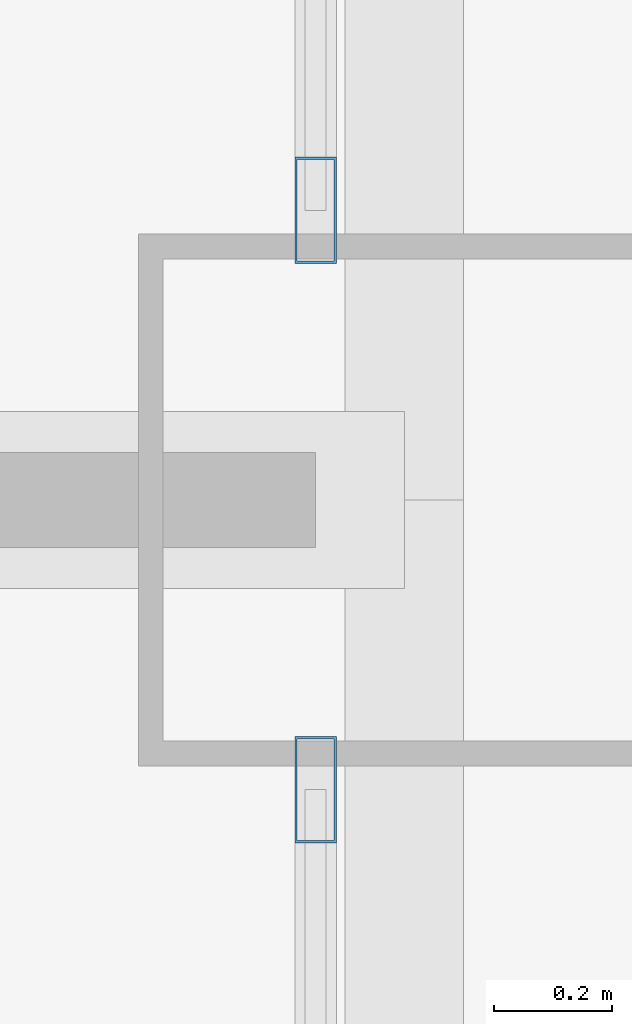
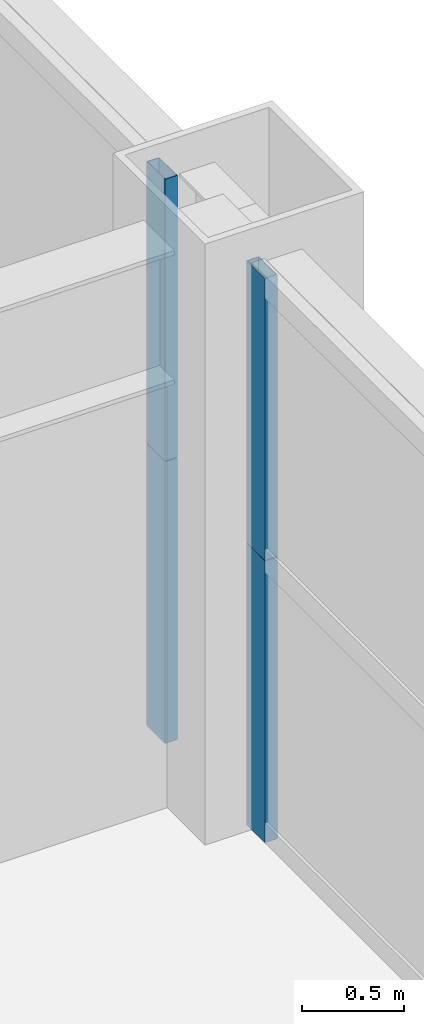
# One storey, part 23 of 46: 4 members, 2 elements without a shape of their own.
"""IFC4 building model written with IfcOpenShell, lengths in metres."""

from ifc_helpers import new_model, si_unit, direction, frame, origin, origin_2d, place, context, subcontext, project, spatial, hollow_rectangle, extrude, source, transform, mapped, material, layer, layer_set, material_profile, profile_set, type_object, element, aggregate, save


model = new_model("IFC4")

# Units and contexts
model_context = context("Model", 3, precision=1e-05, world=origin(), true_north=direction((0.0, 1.0)))
body_context = subcontext(model_context, "Body", "Model", "MODEL_VIEW")
ifc_project = project(units=[si_unit("LENGTHUNIT", "METRE"), si_unit("AREAUNIT", "SQUARE_METRE"), si_unit("VOLUMEUNIT", "CUBIC_METRE"), si_unit("PLANEANGLEUNIT", "RADIAN"), si_unit("MASSUNIT", "GRAM", prefix="KILO"), si_unit("THERMODYNAMICTEMPERATUREUNIT", "KELVIN"), si_unit("POWERUNIT", "WATT")], contexts=[model_context])

# Site, building, storey
site_placement = place(None, origin())
site = spatial("IfcSite", under=ifc_project, at=site_placement, CompositionType="ELEMENT")
building_placement = place(site_placement, origin())
building = spatial("IfcBuilding", under=site, at=building_placement, Name="Yuzanri Waterfront Tower", CompositionType="ELEMENT")
storey_placement = place(building_placement, frame((0.0, 0.0, 56.800048828125)))
storey = spatial("IfcBuildingStorey", under=building, at=storey_placement, Name="L14", CompositionType="ELEMENT", Elevation=56.800048828125)

# Curtain wall, members
ifc_material_1 = material(Name="Anodized Architectural Bronze", Category="metal")
ifc_layer = layer(ifc_material_1, 0.159912109375)
ifc_layer_set = layer_set([ifc_layer], Name="Anodized Architectural Bronze")
curtain_wall_type = type_object("IfcCurtainWallType", Name="Anodized Bronze Hotel Lower-Tier Recessed Unitized Curtain Wall 8100", PredefinedType="NOTDEFINED", material=ifc_layer_set)
curtain_wall_1_placement = place(storey_placement, origin())
curtain_wall_1 = element("IfcCurtainWall", 1, at=curtain_wall_1_placement, inside=storey, type_object=curtain_wall_type, Name="L14 Curtain Wall CW-L14-EL", PredefinedType="NOTDEFINED")
ifc_material_2 = material(Name="Anodized Architectural Bronze", Category="metal")
ifc_material_profile = material_profile(ifc_material_2, hollow_rectangle(XDim=0.070068359375, YDim=0.179931640625, WallThickness=0.00390625, at=origin_2d()), Name="CWM 70x180")
ifc_profile_set = profile_set([ifc_material_profile], Name="Anodized Architectural Bronze")
member_type = type_object("IfcMemberType", Name="Anodized Bronze Standard Curtain-Wall Mullion 70x180", PredefinedType="MULLION", material=ifc_profile_set)
shared_shape = source(origin(), body_context, "Body", "SweptSolid", [
    extrude(hollow_rectangle(XDim=0.070068359375, YDim=0.179931640625, WallThickness=0.00390625, at=origin_2d()), origin(), (0.0, 0.0, 1.0), 1.68798828125),
])
member_1_placement = place(storey_placement, frame((61.949951171875, 25.31005859375, 0.0), z_axis=(0.0, 0.0, 1.0), x_axis=(1.0, 0.0, 0.0)))
member_1 = element("IfcMember", 2, at=member_1_placement, type_object=member_type, Name="CW-L14-EL Lower Mullion 02", PredefinedType="MULLION", context=body_context, shape_type="MappedRepresentation", body=[
    mapped(shared_shape, transform((0.0, 0.0, 0.0), scale=1.0)),
])
member_2_placement = place(storey_placement, frame((61.949951171875, 25.31005859375, 1.69189453125), z_axis=(0.0, 0.0, 1.0), x_axis=(1.0, 0.0, 0.0)))
member_2 = element("IfcMember", 3, at=member_2_placement, type_object=member_type, Name="CW-L14-EL Upper Mullion 02", PredefinedType="MULLION", context=body_context, shape_type="MappedRepresentation", body=[
    mapped(shared_shape, transform((0.0, 0.0, 0.0), scale=1.0)),
])
aggregate(curtain_wall_1, [member_1, member_2])

curtain_wall_2_placement = place(storey_placement, origin())
curtain_wall_2 = element("IfcCurtainWall", 4, at=curtain_wall_2_placement, inside=storey, type_object=curtain_wall_type, Name="L14 Curtain Wall CW-L14-ER", PredefinedType="NOTDEFINED")
member_3_placement = place(storey_placement, frame((61.949951171875, 26.2900390625, 0.0), z_axis=(0.0, 0.0, 1.0), x_axis=(1.0, 0.0, 0.0)))
member_3 = element("IfcMember", 5, at=member_3_placement, type_object=member_type, Name="CW-L14-ER Lower Mullion 00", PredefinedType="MULLION", context=body_context, shape_type="MappedRepresentation", body=[
    mapped(shared_shape, transform((0.0, 0.0, 0.0), scale=1.0)),
])
member_4_placement = place(storey_placement, frame((61.949951171875, 26.2900390625, 1.69189453125), z_axis=(0.0, 0.0, 1.0), x_axis=(1.0, 0.0, 0.0)))
member_4 = element("IfcMember", 6, at=member_4_placement, type_object=member_type, Name="CW-L14-ER Upper Mullion 00", PredefinedType="MULLION", context=body_context, shape_type="MappedRepresentation", body=[
    mapped(shared_shape, transform((0.0, 0.0, 0.0), scale=1.0)),
])
aggregate(curtain_wall_2, [member_3, member_4])

save(model, "model.ifc")
